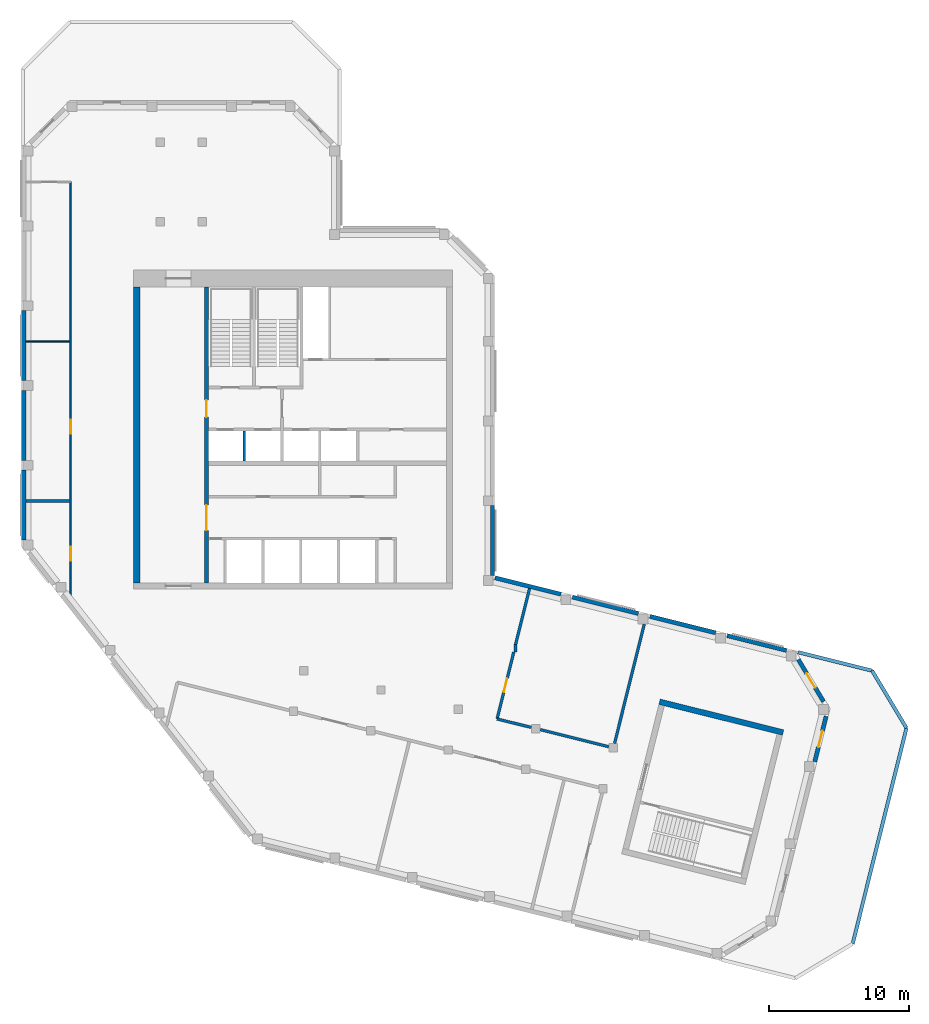
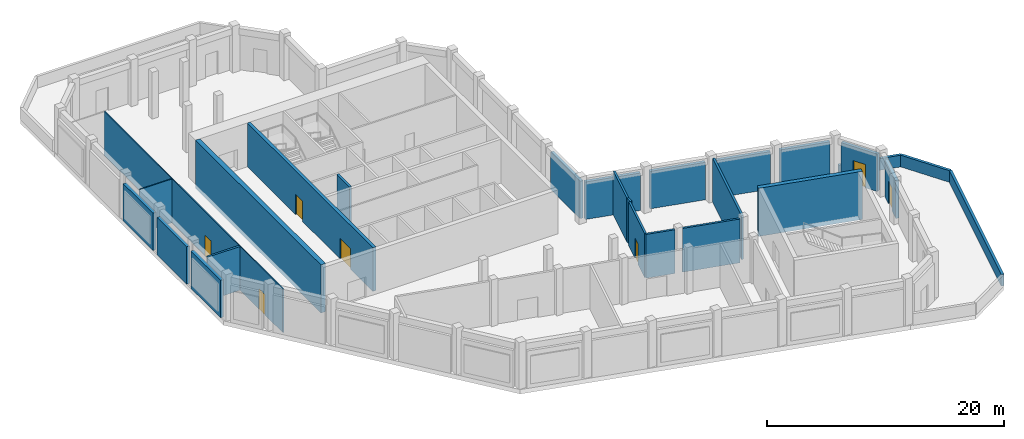
# One storey, part 3 of 6: 26 walls, 7 doors, 7 openings.
"""IFC4 building model written with IfcOpenShell, lengths in metres."""

from ifc_helpers import new_model, si_unit, direction, frame, frame_2d, origin, place, context, subcontext, project, spatial, rectangle, extrude, material, layer, layer_set, type_object, element, fill, save


model = new_model("IFC4")

# Units and contexts
model_context = context("Model", 3, precision=1e-05, world=origin(), true_north=direction((0.0, 1.0)))
body_context = subcontext(model_context, "Body", "Model", "MODEL_VIEW")
ifc_project = project(units=[si_unit("LENGTHUNIT", "METRE"), si_unit("AREAUNIT", "SQUARE_METRE"), si_unit("VOLUMEUNIT", "CUBIC_METRE"), si_unit("PLANEANGLEUNIT", "RADIAN"), si_unit("MASSUNIT", "GRAM", prefix="KILO")], contexts=[model_context])

# Site, building, storey
site_placement = place(None, origin())
site = spatial("IfcSite", under=ifc_project, at=site_placement, CompositionType="ELEMENT")
building_placement = place(site_placement, origin())
building = spatial("IfcBuilding", under=site, at=building_placement, Name="Meshkara Civic Tower", CompositionType="ELEMENT")
storey_placement = place(building_placement, frame((0.0, 0.0, 400.199951171875)))
storey = spatial("IfcBuildingStorey", under=building, at=storey_placement, Name="L92 Crown", CompositionType="ELEMENT", Elevation=400.199951171875)

# Walls
ifc_material_1 = material(Name="Insulated infill panel with bronze anodised aluminium cladding", Category="aluminium")
ifc_layer_1 = layer(ifc_material_1, 0.300048828125)
ifc_layer_set_1 = layer_set([ifc_layer_1], Name="CROWN WALL 300")
wall_type_1 = type_object("IfcWallType", Name="CROWN WALL 300", PredefinedType="SOLIDWALL", material=ifc_layer_set_1)
wall_1_placement = place(storey_placement, frame((54.6630859375, 9.714111328125, 0.0), z_axis=(0.0, 0.0, 1.0), x_axis=(-0.970270622343, 0.24202255973, 0.0)))
element("IfcWall", 1, at=wall_1_placement, inside=storey, type_object=wall_type_1, Name="Crown external wall", PredefinedType="SOLIDWALL", context=body_context, shape_type="SweptSolid", body=[
    extrude(rectangle(XDim=4.366943359375, YDim=0.300048828125, at=frame_2d((2.18359375, 0.0))), origin(), (0.0, 0.0, 1.0), 3.85009765625),
])
wall_2_placement = place(storey_placement, frame((49.60302734375, 10.97607421875, 0.0), z_axis=(0.0, 0.0, 1.0), x_axis=(-0.970296212968, 0.241919943578, 0.0)))
element("IfcWall", 2, at=wall_2_placement, inside=storey, type_object=wall_type_1, Name="Crown external wall", PredefinedType="SOLIDWALL", context=body_context, shape_type="SweptSolid", body=[
    extrude(rectangle(XDim=4.85205078125, YDim=0.300048828125, at=frame_2d((2.426025390625, 0.0))), origin(), (0.0, 0.0, 1.0), 3.85009765625),
])
wall_3_placement = place(storey_placement, frame((44.072021484375, 12.35498046875, 0.0), z_axis=(0.0, 0.0, 1.0), x_axis=(-0.970272614069, 0.242014574744, 0.0)))
element("IfcWall", 3, at=wall_3_placement, inside=storey, type_object=wall_type_1, Name="Crown external wall", PredefinedType="SOLIDWALL", context=body_context, shape_type="SweptSolid", body=[
    extrude(rectangle(XDim=4.851318359375, YDim=0.300048828125, at=frame_2d((2.42578125, 0.0))), origin(), (0.0, 0.0, 1.0), 3.85009765625),
])
wall_4_placement = place(storey_placement, frame((38.5419921875, 13.73388671875, 0.0), z_axis=(0.0, 0.0, 1.0), x_axis=(-0.970284401049, 0.241967314076, 0.0)))
element("IfcWall", 4, at=wall_4_placement, inside=storey, type_object=wall_type_1, Name="Crown external wall", PredefinedType="SOLIDWALL", context=body_context, shape_type="SweptSolid", body=[
    extrude(rectangle(XDim=4.852294921875, YDim=0.300048828125, at=frame_2d((2.42626953125, 0.0))), origin(), (0.0, 0.0, 1.0), 3.85009765625),
])
for number, where, z_axis, x_axis, name in (
    (5, (33.64990234375, 15.069091796875, 0.0), (0.0, 0.0, 1.0), (0.0, 1.0, 0.0), "Crown external wall"),
    (6, (0.14990234375, 34.0048828125, 0.0), (0.0, 0.0, 1.0), (0.0, -1.0, 0.0), "Crown external wall"),
    (7, (0.14990234375, 28.304931640625, 0.0), (0.0, 0.0, 1.0), (0.0, -1.0, 0.0), "Crown external wall"),
    (8, (0.14990234375, 22.60498046875, 0.0), (0.0, 0.0, 1.0), (0.0, -1.0, 0.0), "Crown external wall"),
):
    element("IfcWall", number, at=place(storey_placement, frame(where, z_axis=z_axis, x_axis=x_axis)), inside=storey, type_object=wall_type_1, Name=name, PredefinedType="SOLIDWALL", context=body_context, shape_type="SweptSolid", body=[
        extrude(rectangle(XDim=5.0, YDim=0.300048828125, at=frame_2d((2.5, 0.0))), origin(), (0.0, 0.0, 1.0), 3.85009765625),
    ])

# Wall, opening, door
wall_5_placement = place(storey_placement, frame((56.681884765625, 1.77001953125, 0.0), z_axis=(0.0, 0.0, 1.0), x_axis=(0.242002297387, 0.970275676321, 0.0)))
wall_5 = element("IfcWall", 9, at=wall_5_placement, inside=storey, type_object=wall_type_1, Name="Crown external wall", PredefinedType="SOLIDWALL", context=body_context, shape_type="SweptSolid", body=[
    extrude(rectangle(XDim=3.33935546875, YDim=0.300048828125, at=frame_2d((1.669677734375, 0.0))), origin(), (0.0, 0.0, 1.0), 3.85009765625),
])
opening_1_placement = place(wall_5_placement, frame((1.069091796875, 0.0, 0.0)))
opening_1 = element("IfcOpeningElement", 10, at=opening_1_placement, cuts=wall_5, Name="Opening L92 Crown-L007", PredefinedType="OPENING", context=body_context, shape_type="SweptSolid", body=[
    extrude(rectangle(XDim=1.199951171875, YDim=2.39990234375, at=frame_2d((0.60009765625, 1.199951171875))), frame((0.0, 0.159912109375, 0.0), z_axis=(0.0, -1.0, 0.0), x_axis=(1.0, 0.0, 0.0)), (0.0, 0.0, 1.0), 0.320068359375),
])
ifc_material_2 = material(Name="Steel S355", Category="steel")
door_type_1 = type_object("IfcDoorType", Name="ROOF ACCESS DOOR 1200x2400", OperationType="SINGLE_SWING_LEFT", PredefinedType="DOOR", material=ifc_material_2)
door_1_placement = place(opening_1_placement, origin())
door_1 = element("IfcDoor", 11, at=door_1_placement, inside=storey, type_object=door_type_1, Name="L92 Crown-L007", OperationType="SINGLE_SWING_LEFT", OverallHeight=2.39990234375, OverallWidth=1.199951171875, PredefinedType="DOOR", context=body_context, shape_type="SweptSolid", body=[
    extrude(rectangle(XDim=1.199951171875, YDim=2.39990234375, at=frame_2d((0.60009765625, 1.199951171875))), frame((0.0, 0.02490234375, 0.0), z_axis=(0.0, -1.0, 0.0), x_axis=(1.0, 0.0, 0.0)), (0.0, 0.0, 1.0), 0.050048828125),
])
fill(opening_1, door_1)

wall_6_placement = place(storey_placement, frame((57.31103515625, 6.06005859375, 0.0), z_axis=(0.0, 0.0, 1.0), x_axis=(-0.514956880481, 0.857216082003, 0.0)))
wall_6 = element("IfcWall", 12, at=wall_6_placement, inside=storey, type_object=wall_type_1, Name="Crown external wall", PredefinedType="SOLIDWALL", context=body_context, shape_type="SweptSolid", body=[
    extrude(rectangle(XDim=3.503173828125, YDim=0.300048828125, at=frame_2d((1.75146484375, 0.0))), origin(), (0.0, 0.0, 1.0), 3.85009765625),
])
opening_2_placement = place(wall_6_placement, frame((1.152099609375, 0.0, 0.0)))
opening_2 = element("IfcOpeningElement", 13, at=opening_2_placement, cuts=wall_6, Name="Opening L92 Crown-L008", PredefinedType="OPENING", context=body_context, shape_type="SweptSolid", body=[
    extrude(rectangle(XDim=1.199951171875, YDim=2.39990234375, at=frame_2d((0.60009765625, 1.199951171875))), frame((0.0, 0.159912109375, 0.0), z_axis=(0.0, -1.0, 0.0), x_axis=(1.0, 0.0, 0.0)), (0.0, 0.0, 1.0), 0.320068359375),
])
door_2_placement = place(opening_2_placement, origin())
door_2 = element("IfcDoor", 14, at=door_2_placement, inside=storey, type_object=door_type_1, Name="L92 Crown-L008", OperationType="SINGLE_SWING_LEFT", OverallHeight=2.39990234375, OverallWidth=1.199951171875, PredefinedType="DOOR", context=body_context, shape_type="SweptSolid", body=[
    extrude(rectangle(XDim=1.199951171875, YDim=2.39990234375, at=frame_2d((0.60009765625, 1.199951171875))), frame((0.0, 0.02490234375, 0.0), z_axis=(0.0, -1.0, 0.0), x_axis=(1.0, 0.0, 0.0)), (0.0, 0.0, 1.0), 0.050048828125),
])
fill(opening_2, door_2)

# Wall
ifc_material_3 = material(Name="Concrete C50", Category="concrete")
ifc_layer_2 = layer(ifc_material_3, 0.449951171875)
ifc_layer_set_2 = layer_set([ifc_layer_2], Name="Core ring wall 450 C50")
wall_type_2 = type_object("IfcWallType", Name="Core ring wall 450 C50", PredefinedType="SHEAR", material=ifc_layer_set_2)
wall_7_placement = place(storey_placement, frame((8.22509765625, 14.550048828125, -0.449951171875), z_axis=(0.0, 0.0, 1.0), x_axis=(0.0, 1.0, 0.0)))
element("IfcWall", 15, at=wall_7_placement, inside=storey, type_object=wall_type_2, Name="L92 Crown-C003", PredefinedType="SHEAR", context=body_context, shape_type="SweptSolid", body=[
    extrude(rectangle(XDim=21.14990234375, YDim=0.449951171875, at=frame_2d((10.574951171875, 0.0))), origin(), (0.0, 0.0, 1.0), 4.949951171875),
])

# Wall, openings, doors
ifc_material_4 = material(Name="Concrete C50", Category="concrete")
ifc_layer_3 = layer(ifc_material_4, 0.300048828125)
ifc_layer_set_3 = layer_set([ifc_layer_3], Name="Core shear wall 300 C50")
wall_type_3 = type_object("IfcWallType", Name="Core shear wall 300 C50", PredefinedType="SHEAR", material=ifc_layer_set_3)
wall_8_placement = place(storey_placement, frame((13.199951171875, 14.550048828125, 0.0), z_axis=(0.0, 0.0, 1.0), x_axis=(0.0, 1.0, 0.0)))
wall_8 = element("IfcWall", 16, at=wall_8_placement, inside=storey, type_object=wall_type_3, Name="L92 Crown-C011", PredefinedType="SHEAR", context=body_context, shape_type="SweptSolid", body=[
    extrude(rectangle(XDim=21.14990234375, YDim=0.300048828125, at=frame_2d((10.574951171875, 0.0))), origin(), (0.0, 0.0, 1.0), 4.5),
])
opening_3_placement = place(wall_8_placement, frame((3.75, 0.0, 0.0)))
opening_3 = element("IfcOpeningElement", 17, at=opening_3_placement, cuts=wall_8, Name="Opening L92 Crown-K014", PredefinedType="OPENING", context=body_context, shape_type="SweptSolid", body=[
    extrude(rectangle(XDim=1.800048828125, YDim=2.10009765625, at=frame_2d((0.89990234375, 1.050048828125))), frame((0.0, 0.159912109375, 0.0), z_axis=(0.0, -1.0, 0.0), x_axis=(1.0, 0.0, 0.0)), (0.0, 0.0, 1.0), 0.320068359375),
])
opening_4_placement = place(wall_8_placement, frame((11.85009765625, 0.0, 0.0)))
opening_4 = element("IfcOpeningElement", 18, at=opening_4_placement, cuts=wall_8, Name="Opening L92 Crown-K015", PredefinedType="OPENING", context=body_context, shape_type="SweptSolid", body=[
    extrude(rectangle(XDim=1.199951171875, YDim=2.10009765625, at=frame_2d((0.60009765625, 1.050048828125))), frame((0.0, 0.159912109375, 0.0), z_axis=(0.0, -1.0, 0.0), x_axis=(1.0, 0.0, 0.0)), (0.0, 0.0, 1.0), 0.320068359375),
])
ifc_material_5 = material(Name="Fire-rated door leaf in steel frame", Category="steel")
door_type_2 = type_object("IfcDoorType", Name="Core double door 1800 EI 60", OperationType="DOUBLE_DOOR_SINGLE_SWING", PredefinedType="DOOR", material=ifc_material_5)
door_3_placement = place(opening_3_placement, origin())
door_3 = element("IfcDoor", 19, at=door_3_placement, inside=storey, type_object=door_type_2, Name="L92 Crown-K014", OperationType="DOUBLE_DOOR_SINGLE_SWING", OverallHeight=2.10009765625, OverallWidth=1.800048828125, PredefinedType="DOOR", context=body_context, shape_type="SweptSolid", body=[
    extrude(rectangle(XDim=1.800048828125, YDim=2.10009765625, at=frame_2d((0.89990234375, 1.050048828125))), frame((0.0, 0.02490234375, 0.0), z_axis=(0.0, -1.0, 0.0), x_axis=(1.0, 0.0, 0.0)), (0.0, 0.0, 1.0), 0.050048828125),
])
fill(opening_3, door_3)
ifc_material_6 = material(Name="Fire-rated door leaf in steel frame", Category="steel")
door_type_3 = type_object("IfcDoorType", Name="Fire-fighting lobby door 1200 EI 120", OperationType="SINGLE_SWING_LEFT", PredefinedType="DOOR", material=ifc_material_6)
door_4_placement = place(opening_4_placement, origin())
door_4 = element("IfcDoor", 20, at=door_4_placement, inside=storey, type_object=door_type_3, Name="L92 Crown-K015", OperationType="SINGLE_SWING_LEFT", OverallHeight=2.10009765625, OverallWidth=1.199951171875, PredefinedType="DOOR", context=body_context, shape_type="SweptSolid", body=[
    extrude(rectangle(XDim=1.199951171875, YDim=2.10009765625, at=frame_2d((0.60009765625, 1.050048828125))), frame((0.0, 0.02490234375, 0.0), z_axis=(0.0, -1.0, 0.0), x_axis=(1.0, 0.0, 0.0)), (0.0, 0.0, 1.0), 0.050048828125),
])
fill(opening_4, door_4)

ifc_material_7 = material(Name="Corridor wall 100")
ifc_layer_4 = layer(ifc_material_7, 0.10009765625)
ifc_layer_set_4 = layer_set([ifc_layer_4], Name="Corridor wall 100")
wall_type_4 = type_object("IfcWallType", Name="Corridor wall 100", PredefinedType="PARTITIONING", material=ifc_layer_set_4)
wall_9_placement = place(storey_placement, frame((3.5, 43.199951171875, 0.0), z_axis=(0.0, 0.0, 1.0), x_axis=(0.0, -1.0, 0.0)))
wall_9 = element("IfcWall", 21, at=wall_9_placement, inside=storey, type_object=wall_type_4, Name="L92 Crown-R002", PredefinedType="PARTITIONING", context=body_context, shape_type="SweptSolid", body=[
    extrude(rectangle(XDim=30.093017578125, YDim=0.10009765625, at=frame_2d((15.04638671875, 0.0))), origin(), (0.0, 0.0, 1.0), 4.5),
])
opening_5_placement = place(wall_9_placement, frame((26.080078125, 0.0, 0.0)))
opening_5 = element("IfcOpeningElement", 22, at=opening_5_placement, cuts=wall_9, Name="Opening L92 Crown-P005", PredefinedType="OPENING", context=body_context, shape_type="SweptSolid", body=[
    extrude(rectangle(XDim=1.0, YDim=2.10009765625, at=frame_2d((0.5, 1.050048828125))), frame((0.0, 0.06005859375, 0.0), z_axis=(0.0, -1.0, 0.0), x_axis=(1.0, 0.0, 0.0)), (0.0, 0.0, 1.0), 0.1201171875),
])
opening_6_placement = place(wall_9_placement, frame((16.97998046875, 0.0, 0.0)))
opening_6 = element("IfcOpeningElement", 23, at=opening_6_placement, cuts=wall_9, Name="Opening L92 Crown-P006", PredefinedType="OPENING", context=body_context, shape_type="SweptSolid", body=[
    extrude(rectangle(XDim=1.0, YDim=2.10009765625, at=frame_2d((0.5, 1.050048828125))), frame((0.0, 0.06005859375, 0.0), z_axis=(0.0, -1.0, 0.0), x_axis=(1.0, 0.0, 0.0)), (0.0, 0.0, 1.0), 0.1201171875),
])
ifc_material_8 = material(Name="Door 1000 x 2100")
door_type_4 = type_object("IfcDoorType", Name="Door 1000 x 2100", OperationType="SINGLE_SWING_LEFT", PredefinedType="DOOR", material=ifc_material_8)
door_5_placement = place(opening_5_placement, origin())
door_5 = element("IfcDoor", 24, at=door_5_placement, inside=storey, type_object=door_type_4, Name="L92 Crown-P005", OperationType="SINGLE_SWING_RIGHT", OverallHeight=2.10009765625, OverallWidth=1.0, PredefinedType="DOOR", context=body_context, shape_type="SweptSolid", body=[
    extrude(rectangle(XDim=1.0, YDim=2.10009765625, at=frame_2d((0.5, 1.050048828125))), frame((0.0, 0.02490234375, 0.0), z_axis=(0.0, -1.0, 0.0), x_axis=(1.0, 0.0, 0.0)), (0.0, 0.0, 1.0), 0.050048828125),
])
fill(opening_5, door_5)
door_6_placement = place(opening_6_placement, origin())
door_6 = element("IfcDoor", 25, at=door_6_placement, inside=storey, type_object=door_type_4, Name="L92 Crown-P006", OperationType="SINGLE_SWING_LEFT", OverallHeight=2.10009765625, OverallWidth=1.0, PredefinedType="DOOR", context=body_context, shape_type="SweptSolid", body=[
    extrude(rectangle(XDim=1.0, YDim=2.10009765625, at=frame_2d((0.5, 1.050048828125))), frame((0.0, 0.02490234375, 0.0), z_axis=(0.0, -1.0, 0.0), x_axis=(1.0, 0.0, 0.0)), (0.0, 0.0, 1.0), 0.050048828125),
])
fill(opening_6, door_6)

# Wall
ifc_material_9 = material(Name="Concrete C50", Category="concrete")
ifc_layer_5 = layer(ifc_material_9, 0.39990234375)
ifc_layer_set_5 = layer_set([ifc_layer_5], Name="End core ring wall 400 C50")
wall_type_5 = type_object("IfcWallType", Name="End core ring wall 400 C50", PredefinedType="SHEAR", material=ifc_layer_set_5)
wall_10_placement = place(storey_placement, frame((45.587890625, 6.051025390625, -0.449951171875), z_axis=(0.0, 0.0, 1.0), x_axis=(0.970312696888, -0.241853820019, 0.0)))
element("IfcWall", 26, at=wall_10_placement, inside=storey, type_object=wall_type_5, Name="L92 Crown-C027", PredefinedType="SHEAR", context=body_context, shape_type="SweptSolid", body=[
    extrude(rectangle(XDim=9.100341796875, YDim=0.39990234375, at=frame_2d((4.55029296875, 0.0))), origin(), (0.0, 0.0, 1.0), 4.949951171875),
])

# Wall, opening, door
ifc_material_10 = material(Name="Fire-rated wall 200")
ifc_layer_6 = layer(ifc_material_10, 0.199951171875)
ifc_layer_set_6 = layer_set([ifc_layer_6], Name="Fire-rated wall 200")
wall_type_6 = type_object("IfcWallType", Name="Fire-rated wall 200", PredefinedType="PARTITIONING", material=ifc_layer_set_6)
wall_11_placement = place(storey_placement, frame((33.97607421875, 4.823974609375, 0.0), z_axis=(0.0, 0.0, 1.0), x_axis=(0.241940400058, 0.970291112409, 0.0)))
wall_11 = element("IfcWall", 27, at=wall_11_placement, inside=storey, type_object=wall_type_6, Name="L92 Crown-R008", PredefinedType="PARTITIONING", context=body_context, shape_type="SweptSolid", body=[
    extrude(rectangle(XDim=4.92236328125, YDim=0.199951171875, at=frame_2d((2.461181640625, 0.0))), origin(), (0.0, 0.0, 1.0), 4.5),
])
opening_7_placement = place(wall_11_placement, frame((1.97998046875, 0.0, 0.0)))
opening_7 = element("IfcOpeningElement", 28, at=opening_7_placement, cuts=wall_11, Name="Opening L92 Crown-P004", PredefinedType="OPENING", context=body_context, shape_type="SweptSolid", body=[
    extrude(rectangle(XDim=1.0, YDim=2.10009765625, at=frame_2d((0.5, 1.050048828125))), frame((0.0, 0.10986328125, 0.0), z_axis=(0.0, -1.0, 0.0), x_axis=(1.0, 0.0, 0.0)), (0.0, 0.0, 1.0), 0.219970703125),
])
door_7_placement = place(opening_7_placement, origin())
door_7 = element("IfcDoor", 29, at=door_7_placement, inside=storey, type_object=door_type_4, Name="L92 Crown-P004", OperationType="SINGLE_SWING_LEFT", OverallHeight=2.10009765625, OverallWidth=1.0, PredefinedType="DOOR", context=body_context, shape_type="SweptSolid", body=[
    extrude(rectangle(XDim=1.0, YDim=2.10009765625, at=frame_2d((0.5, 1.050048828125))), frame((0.0, 0.02490234375, 0.0), z_axis=(0.0, -1.0, 0.0), x_axis=(1.0, 0.0, 0.0)), (0.0, 0.0, 1.0), 0.050048828125),
])
fill(opening_7, door_7)

# Walls
wall_12_placement = place(storey_placement, frame((35.300048828125, 9.60009765625, 0.0), z_axis=(0.0, 0.0, 1.0), x_axis=(0.0, 1.0, 0.0)))
element("IfcWall", 30, at=wall_12_placement, inside=storey, type_object=wall_type_6, Name="L92 Crown-R009", PredefinedType="PARTITIONING", context=body_context, shape_type="SweptSolid", body=[
    extrude(rectangle(XDim=0.533935546875, YDim=0.199951171875, at=frame_2d((0.26708984375, 0.0))), origin(), (0.0, 0.0, 1.0), 4.5),
])
wall_13_placement = place(storey_placement, frame((35.300048828125, 10.134033203125, 0.0), z_axis=(0.0, 0.0, 1.0), x_axis=(0.24203457236, 0.970267625855, 0.0)))
element("IfcWall", 31, at=wall_13_placement, inside=storey, type_object=wall_type_6, Name="L92 Crown-R010", PredefinedType="PARTITIONING", context=body_context, shape_type="SweptSolid", body=[
    extrude(rectangle(XDim=4.127685546875, YDim=0.199951171875, at=frame_2d((2.06396484375, 0.0))), origin(), (0.0, 0.0, 1.0), 4.5),
])
wall_14_placement = place(storey_placement, frame((36.422119140625, 4.214111328125, 0.0), z_axis=(0.0, 0.0, 1.0), x_axis=(-0.97029611866, 0.24192032183, 0.0)))
element("IfcWall", 32, at=wall_14_placement, inside=storey, type_object=wall_type_6, Name="L92 Crown-R012", PredefinedType="PARTITIONING", context=body_context, shape_type="SweptSolid", body=[
    extrude(rectangle(XDim=2.52099609375, YDim=0.199951171875, at=frame_2d((1.260498046875, 0.0))), origin(), (0.0, 0.0, 1.0), 4.5),
])
wall_15_placement = place(storey_placement, frame((41.951904296875, 2.8359375, 0.0), z_axis=(0.0, 0.0, 1.0), x_axis=(-0.970304715776, 0.241885837829, 0.0)))
element("IfcWall", 33, at=wall_15_placement, inside=storey, type_object=wall_type_6, Name="L92 Crown-R014", PredefinedType="PARTITIONING", context=body_context, shape_type="SweptSolid", body=[
    extrude(rectangle(XDim=5.03955078125, YDim=0.199951171875, at=frame_2d((2.519775390625, 0.0))), origin(), (0.0, 0.0, 1.0), 4.5),
])
wall_16_placement = place(storey_placement, frame((44.49609375, 11.591064453125, 0.0), z_axis=(0.0, 0.0, 1.0), x_axis=(-0.241998903406, -0.970276522828, 0.0)))
element("IfcWall", 34, at=wall_16_placement, inside=storey, type_object=wall_type_6, Name="L92 Crown-R015", PredefinedType="PARTITIONING", context=body_context, shape_type="SweptSolid", body=[
    extrude(rectangle(XDim=8.777099609375, YDim=0.199951171875, at=frame_2d((4.388671875, 0.0))), origin(), (0.0, 0.0, 1.0), 4.5),
])
wall_17_placement = place(storey_placement, frame((3.449951171875, 20.39990234375, 0.0), z_axis=(0.0, 0.0, 1.0), x_axis=(-1.0, 0.0, 0.0)))
element("IfcWall", 35, at=wall_17_placement, inside=storey, type_object=wall_type_6, Name="L92 Crown-R016", PredefinedType="PARTITIONING", context=body_context, shape_type="SweptSolid", body=[
    extrude(rectangle(XDim=3.14990234375, YDim=0.199951171875, at=frame_2d((1.574951171875, 0.0))), origin(), (0.0, 0.0, 1.0), 4.5),
])
ifc_material_11 = material(Name="Partition 100")
ifc_layer_7 = layer(ifc_material_11, 0.10009765625)
ifc_layer_set_7 = layer_set([ifc_layer_7], Name="Partition 100")
wall_type_7 = type_object("IfcWallType", Name="Partition 100", PredefinedType="PARTITIONING", material=ifc_layer_set_7)
wall_18_placement = place(storey_placement, frame((3.449951171875, 31.800048828125, 0.0), z_axis=(0.0, 0.0, 1.0), x_axis=(-1.0, 0.0, 0.0)))
element("IfcWall", 36, at=wall_18_placement, inside=storey, type_object=wall_type_7, Name="L92 Crown-R017", PredefinedType="PARTITIONING", context=body_context, shape_type="SweptSolid", body=[
    extrude(rectangle(XDim=3.14990234375, YDim=0.10009765625, at=frame_2d((1.574951171875, 0.0))), origin(), (0.0, 0.0, 1.0), 4.5),
])
ifc_material_12 = material(Name="Concrete C40", Category="concrete")
ifc_layer_8 = layer(ifc_material_12, 0.25)
ifc_layer_set_8 = layer_set([ifc_layer_8], Name="ROOF PARAPET 250")
wall_type_8 = type_object("IfcWallType", Name="ROOF PARAPET 250", PredefinedType="PARAPET", material=ifc_layer_set_8)
wall_19_placement = place(storey_placement, frame((55.47998046875, 9.593017578125, 0.0), z_axis=(0.0, 0.0, 1.0), x_axis=(0.970292231073, -0.24193591366, 0.0)))
element("IfcWall", 37, at=wall_19_placement, inside=storey, type_object=wall_type_8, Name="Roof parapet", PredefinedType="PARAPET", context=body_context, shape_type="SweptSolid", body=[
    extrude(rectangle(XDim=5.460205078125, YDim=0.25, at=frame_2d((2.72998046875, 0.0))), origin(), (0.0, 0.0, 1.0), 1.199951171875),
])
wall_20_placement = place(storey_placement, frame((60.778076171875, 8.27197265625, 0.0), z_axis=(0.0, 0.0, 1.0), x_axis=(0.515014101709, -0.857181704798, 0.0)))
element("IfcWall", 38, at=wall_20_placement, inside=storey, type_object=wall_type_8, Name="Roof parapet", PredefinedType="PARAPET", context=body_context, shape_type="SweptSolid", body=[
    extrude(rectangle(XDim=4.7783203125, YDim=0.25, at=frame_2d((2.38916015625, 0.0))), origin(), (0.0, 0.0, 1.0), 1.199951171875),
])
wall_21_placement = place(storey_placement, frame((63.239013671875, 4.176025390625, 0.0), z_axis=(0.0, 0.0, 1.0), x_axis=(-0.241910634319, -0.970298533959, 0.0)))
element("IfcWall", 39, at=wall_21_placement, inside=storey, type_object=wall_type_8, Name="Roof parapet", PredefinedType="PARAPET", context=body_context, shape_type="SweptSolid", body=[
    extrude(rectangle(XDim=15.90234375, YDim=0.25, at=frame_2d((7.951171875, 0.0))), origin(), (0.0, 0.0, 1.0), 1.199951171875),
])
ifc_material_13 = material(Name="Concrete C40/50", Category="concrete")
ifc_layer_9 = layer(ifc_material_13, 0.199951171875)
ifc_layer_set_9 = layer_set([ifc_layer_9], Name="Shaft wall 200 C40/50")
wall_type_9 = type_object("IfcWallType", Name="Shaft wall 200 C40/50", PredefinedType="SOLIDWALL", material=ifc_layer_set_9)
wall_22_placement = place(storey_placement, frame((15.89990234375, 23.25, 0.0), z_axis=(0.0, 0.0, 1.0), x_axis=(0.0, 1.0, 0.0)))
element("IfcWall", 40, at=wall_22_placement, inside=storey, type_object=wall_type_9, Name="L92 Crown-C013", PredefinedType="SOLIDWALL", context=body_context, shape_type="SweptSolid", body=[
    extrude(rectangle(XDim=2.14990234375, YDim=0.199951171875, at=frame_2d((1.074951171875, 0.0))), origin(), (0.0, 0.0, 1.0), 4.5),
])

save(model, "model.ifc")
